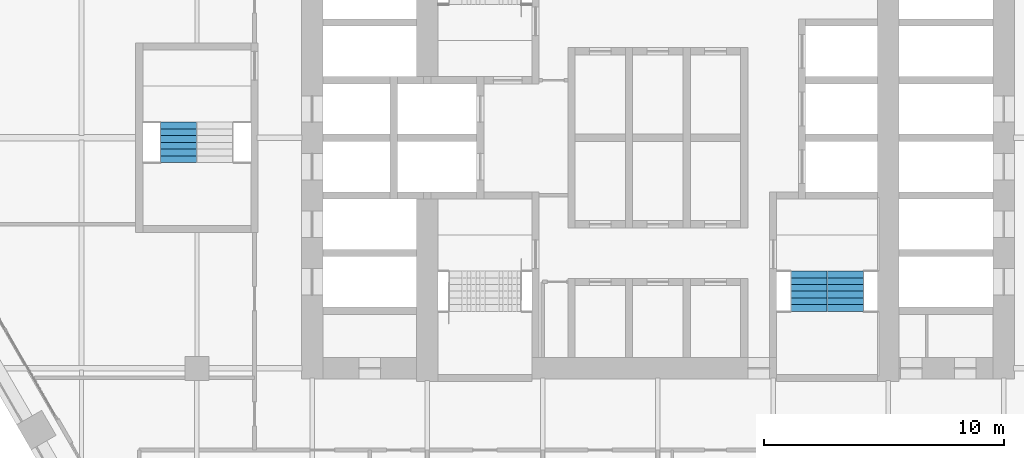
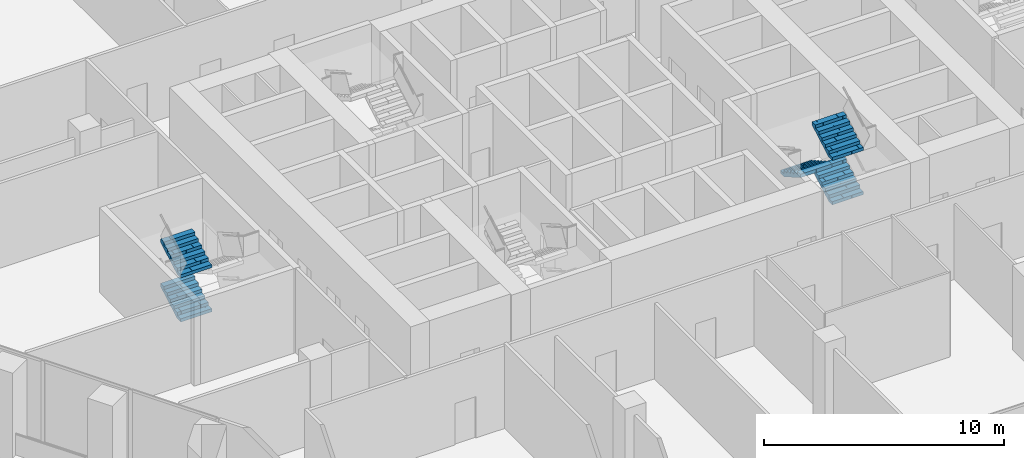
# One storey, part 19 of 24: 5 stair flights, 2 elements without a shape of their own.
"""IFC4 building model written with IfcOpenShell, lengths in metres."""

from ifc_helpers import new_model, si_unit, direction, frame, origin, place, context, subcontext, project, spatial, polyline, outline, extrude, material, type_object, element, aggregate, save


model = new_model("IFC4")

# Units and contexts
model_context = context("Model", 3, precision=1e-05, world=origin(), true_north=direction((0.0, 1.0)))
body_context = subcontext(model_context, "Body", "Model", "MODEL_VIEW")
ifc_project = project(units=[si_unit("LENGTHUNIT", "METRE"), si_unit("AREAUNIT", "SQUARE_METRE"), si_unit("VOLUMEUNIT", "CUBIC_METRE"), si_unit("PLANEANGLEUNIT", "RADIAN"), si_unit("MASSUNIT", "GRAM", prefix="KILO")], contexts=[model_context])

# Site, building, storey
site_placement = place(None, origin())
site = spatial("IfcSite", under=ifc_project, at=site_placement, CompositionType="ELEMENT")
building_placement = place(site_placement, origin())
building = spatial("IfcBuilding", under=site, at=building_placement, Name="Kolab Exchange Tower", CompositionType="ELEMENT")
storey_placement = place(building_placement, frame((0.0, 0.0, 86.89990234375)))
storey = spatial("IfcBuildingStorey", under=building, at=storey_placement, Name="L16", CompositionType="ELEMENT", Elevation=86.89990234375)

# Stair, stair flights
ifc_material = material(Name="Concrete C50/60", Category="concrete")
stair_type_1 = type_object("IfcStairType", Name="STAIR ST2 RISER 160.7", PredefinedType="DOUBLE_RETURN_STAIR", material=ifc_material)
stair_1_placement = place(storey_placement, origin())
stair_1 = element("IfcStair", 1, at=stair_1_placement, inside=storey, type_object=stair_type_1, Name="Stair 2", PredefinedType="DOUBLE_RETURN_STAIR")
stair_flight_type = type_object("IfcStairFlightType", Name="STAIR FLIGHT 1500 RISER 160.7", PredefinedType="STRAIGHT", material=ifc_material)
stair_flight_1_placement = place(storey_placement, frame((7.81005859375, -7.22998046875, 1.125), z_axis=(0.0, 0.0, 1.0), x_axis=(0.0, 1.0, 0.0)))
stair_flight_1 = element("IfcStairFlight", 2, at=stair_flight_1_placement, type_object=stair_flight_type, Name="ST2 flight 2", NumberOfRisers=7, NumberOfTreads=6, PredefinedType="STRAIGHT", RiserHeight=0.160714286, TreadLength=0.28, context=body_context, shape_type="SweptSolid", body=[
    extrude(outline(polyline([(0.0, 0.0), (0.0, 0.16064453125), (0.280029296875, 0.16064453125), (0.280029296875, 0.321533203125), (0.56005859375, 0.321533203125), (0.56005859375, 0.482177734375), (0.840087890625, 0.482177734375), (0.840087890625, 0.642822265625), (1.1201171875, 0.642822265625), (1.1201171875, 0.803466796875), (1.39990234375, 0.803466796875), (1.39990234375, 0.96435546875), (1.679931640625, 0.96435546875), (1.679931640625, 1.125), (1.679931640625, 0.79150390625), (0.301025390625, 0.0), (0.0, 0.0)])), frame((0.0, 0.75, 0.0), z_axis=(0.0, -1.0, 0.0), x_axis=(1.0, 0.0, 0.0)), (0.0, 0.0, 1.0), 0.185791015625),
    extrude(outline(polyline([(0.0, 0.0), (0.0, 0.16064453125), (0.280029296875, 0.16064453125), (0.280029296875, 0.321533203125), (0.56005859375, 0.321533203125), (0.56005859375, 0.482177734375), (0.840087890625, 0.482177734375), (0.840087890625, 0.642822265625), (1.1201171875, 0.642822265625), (1.1201171875, 0.803466796875), (1.39990234375, 0.803466796875), (1.39990234375, 0.96435546875), (1.679931640625, 0.96435546875), (1.679931640625, 1.125), (1.679931640625, 0.79150390625), (0.301025390625, 0.0), (0.0, 0.0)])), frame((0.0, 0.562255859375, 0.0), z_axis=(0.0, -1.0, 0.0), x_axis=(1.0, 0.0, 0.0)), (0.0, 0.0, 1.0), 0.185791015625),
    extrude(outline(polyline([(0.0, 0.0), (0.0, 0.16064453125), (0.280029296875, 0.16064453125), (0.280029296875, 0.321533203125), (0.56005859375, 0.321533203125), (0.56005859375, 0.482177734375), (0.840087890625, 0.482177734375), (0.840087890625, 0.642822265625), (1.1201171875, 0.642822265625), (1.1201171875, 0.803466796875), (1.39990234375, 0.803466796875), (1.39990234375, 0.96435546875), (1.679931640625, 0.96435546875), (1.679931640625, 1.125), (1.679931640625, 0.79150390625), (0.301025390625, 0.0), (0.0, 0.0)])), frame((0.0, 0.37451171875, 0.0), z_axis=(0.0, -1.0, 0.0), x_axis=(1.0, 0.0, 0.0)), (0.0, 0.0, 1.0), 0.185791015625),
    extrude(outline(polyline([(0.0, 0.0), (0.0, 0.16064453125), (0.280029296875, 0.16064453125), (0.280029296875, 0.321533203125), (0.56005859375, 0.321533203125), (0.56005859375, 0.482177734375), (0.840087890625, 0.482177734375), (0.840087890625, 0.642822265625), (1.1201171875, 0.642822265625), (1.1201171875, 0.803466796875), (1.39990234375, 0.803466796875), (1.39990234375, 0.96435546875), (1.679931640625, 0.96435546875), (1.679931640625, 1.125), (1.679931640625, 0.79150390625), (0.301025390625, 0.0), (0.0, 0.0)])), frame((0.0, 0.186767578125, 0.0), z_axis=(0.0, -1.0, 0.0), x_axis=(1.0, 0.0, 0.0)), (0.0, 0.0, 1.0), 0.185791015625),
    extrude(outline(polyline([(0.0, 0.0), (0.0, 0.16064453125), (0.280029296875, 0.16064453125), (0.280029296875, 0.321533203125), (0.56005859375, 0.321533203125), (0.56005859375, 0.482177734375), (0.840087890625, 0.482177734375), (0.840087890625, 0.642822265625), (1.1201171875, 0.642822265625), (1.1201171875, 0.803466796875), (1.39990234375, 0.803466796875), (1.39990234375, 0.96435546875), (1.679931640625, 0.96435546875), (1.679931640625, 1.125), (1.679931640625, 0.79150390625), (0.301025390625, 0.0), (0.0, 0.0)])), frame((0.0, -0.0009765625, 0.0), z_axis=(0.0, -1.0, 0.0), x_axis=(1.0, 0.0, 0.0)), (0.0, 0.0, 1.0), 0.185791015625),
    extrude(outline(polyline([(0.0, 0.0), (0.0, 0.16064453125), (0.280029296875, 0.16064453125), (0.280029296875, 0.321533203125), (0.56005859375, 0.321533203125), (0.56005859375, 0.482177734375), (0.840087890625, 0.482177734375), (0.840087890625, 0.642822265625), (1.1201171875, 0.642822265625), (1.1201171875, 0.803466796875), (1.39990234375, 0.803466796875), (1.39990234375, 0.96435546875), (1.679931640625, 0.96435546875), (1.679931640625, 1.125), (1.679931640625, 0.79150390625), (0.301025390625, 0.0), (0.0, 0.0)])), frame((0.0, -0.188720703125, 0.0), z_axis=(0.0, -1.0, 0.0), x_axis=(1.0, 0.0, 0.0)), (0.0, 0.0, 1.0), 0.185791015625),
    extrude(outline(polyline([(0.0, 0.0), (0.0, 0.16064453125), (0.280029296875, 0.16064453125), (0.280029296875, 0.321533203125), (0.56005859375, 0.321533203125), (0.56005859375, 0.482177734375), (0.840087890625, 0.482177734375), (0.840087890625, 0.642822265625), (1.1201171875, 0.642822265625), (1.1201171875, 0.803466796875), (1.39990234375, 0.803466796875), (1.39990234375, 0.96435546875), (1.679931640625, 0.96435546875), (1.679931640625, 1.125), (1.679931640625, 0.79150390625), (0.301025390625, 0.0), (0.0, 0.0)])), frame((0.0, -0.37646484375, 0.0), z_axis=(0.0, -1.0, 0.0), x_axis=(1.0, 0.0, 0.0)), (0.0, 0.0, 1.0), 0.185791015625),
    extrude(outline(polyline([(0.0, 0.0), (0.0, 0.16064453125), (0.280029296875, 0.16064453125), (0.280029296875, 0.321533203125), (0.56005859375, 0.321533203125), (0.56005859375, 0.482177734375), (0.840087890625, 0.482177734375), (0.840087890625, 0.642822265625), (1.1201171875, 0.642822265625), (1.1201171875, 0.803466796875), (1.39990234375, 0.803466796875), (1.39990234375, 0.96435546875), (1.679931640625, 0.96435546875), (1.679931640625, 1.125), (1.679931640625, 0.79150390625), (0.301025390625, 0.0), (0.0, 0.0)])), frame((0.0, -0.564208984375, 0.0), z_axis=(0.0, -1.0, 0.0), x_axis=(1.0, 0.0, 0.0)), (0.0, 0.0, 1.0), 0.185791015625),
])
stair_flight_2_placement = place(storey_placement, frame((6.2900390625, -5.550048828125, 2.25), z_axis=(0.0, 0.0, 1.0), x_axis=(0.0, -1.0, 0.0)))
stair_flight_2 = element("IfcStairFlight", 3, at=stair_flight_2_placement, type_object=stair_flight_type, Name="ST2 flight 3", NumberOfRisers=7, NumberOfTreads=6, PredefinedType="STRAIGHT", RiserHeight=0.160714286, TreadLength=0.28, context=body_context, shape_type="SweptSolid", body=[
    extrude(outline(polyline([(0.0, 0.0), (0.0, 0.16064453125), (0.280029296875, 0.16064453125), (0.280029296875, 0.321533203125), (0.56005859375, 0.321533203125), (0.56005859375, 0.482177734375), (0.840087890625, 0.482177734375), (0.840087890625, 0.642822265625), (1.1201171875, 0.642822265625), (1.1201171875, 0.803466796875), (1.39990234375, 0.803466796875), (1.39990234375, 0.96435546875), (1.679931640625, 0.96435546875), (1.679931640625, 1.125), (1.679931640625, 0.79150390625), (0.301025390625, 0.0), (0.0, 0.0)])), frame((0.0, 0.75, 0.0), z_axis=(0.0, -1.0, 0.0), x_axis=(1.0, 0.0, 0.0)), (0.0, 0.0, 1.0), 0.185791015625),
    extrude(outline(polyline([(0.0, 0.0), (0.0, 0.16064453125), (0.280029296875, 0.16064453125), (0.280029296875, 0.321533203125), (0.56005859375, 0.321533203125), (0.56005859375, 0.482177734375), (0.840087890625, 0.482177734375), (0.840087890625, 0.642822265625), (1.1201171875, 0.642822265625), (1.1201171875, 0.803466796875), (1.39990234375, 0.803466796875), (1.39990234375, 0.96435546875), (1.679931640625, 0.96435546875), (1.679931640625, 1.125), (1.679931640625, 0.79150390625), (0.301025390625, 0.0), (0.0, 0.0)])), frame((0.0, 0.562255859375, 0.0), z_axis=(0.0, -1.0, 0.0), x_axis=(1.0, 0.0, 0.0)), (0.0, 0.0, 1.0), 0.185791015625),
    extrude(outline(polyline([(0.0, 0.0), (0.0, 0.16064453125), (0.280029296875, 0.16064453125), (0.280029296875, 0.321533203125), (0.56005859375, 0.321533203125), (0.56005859375, 0.482177734375), (0.840087890625, 0.482177734375), (0.840087890625, 0.642822265625), (1.1201171875, 0.642822265625), (1.1201171875, 0.803466796875), (1.39990234375, 0.803466796875), (1.39990234375, 0.96435546875), (1.679931640625, 0.96435546875), (1.679931640625, 1.125), (1.679931640625, 0.79150390625), (0.301025390625, 0.0), (0.0, 0.0)])), frame((0.0, 0.37451171875, 0.0), z_axis=(0.0, -1.0, 0.0), x_axis=(1.0, 0.0, 0.0)), (0.0, 0.0, 1.0), 0.185791015625),
    extrude(outline(polyline([(0.0, 0.0), (0.0, 0.16064453125), (0.280029296875, 0.16064453125), (0.280029296875, 0.321533203125), (0.56005859375, 0.321533203125), (0.56005859375, 0.482177734375), (0.840087890625, 0.482177734375), (0.840087890625, 0.642822265625), (1.1201171875, 0.642822265625), (1.1201171875, 0.803466796875), (1.39990234375, 0.803466796875), (1.39990234375, 0.96435546875), (1.679931640625, 0.96435546875), (1.679931640625, 1.125), (1.679931640625, 0.79150390625), (0.301025390625, 0.0), (0.0, 0.0)])), frame((0.0, 0.186767578125, 0.0), z_axis=(0.0, -1.0, 0.0), x_axis=(1.0, 0.0, 0.0)), (0.0, 0.0, 1.0), 0.185791015625),
    extrude(outline(polyline([(0.0, 0.0), (0.0, 0.16064453125), (0.280029296875, 0.16064453125), (0.280029296875, 0.321533203125), (0.56005859375, 0.321533203125), (0.56005859375, 0.482177734375), (0.840087890625, 0.482177734375), (0.840087890625, 0.642822265625), (1.1201171875, 0.642822265625), (1.1201171875, 0.803466796875), (1.39990234375, 0.803466796875), (1.39990234375, 0.96435546875), (1.679931640625, 0.96435546875), (1.679931640625, 1.125), (1.679931640625, 0.79150390625), (0.301025390625, 0.0), (0.0, 0.0)])), frame((0.0, -0.0009765625, 0.0), z_axis=(0.0, -1.0, 0.0), x_axis=(1.0, 0.0, 0.0)), (0.0, 0.0, 1.0), 0.185791015625),
    extrude(outline(polyline([(0.0, 0.0), (0.0, 0.16064453125), (0.280029296875, 0.16064453125), (0.280029296875, 0.321533203125), (0.56005859375, 0.321533203125), (0.56005859375, 0.482177734375), (0.840087890625, 0.482177734375), (0.840087890625, 0.642822265625), (1.1201171875, 0.642822265625), (1.1201171875, 0.803466796875), (1.39990234375, 0.803466796875), (1.39990234375, 0.96435546875), (1.679931640625, 0.96435546875), (1.679931640625, 1.125), (1.679931640625, 0.79150390625), (0.301025390625, 0.0), (0.0, 0.0)])), frame((0.0, -0.188720703125, 0.0), z_axis=(0.0, -1.0, 0.0), x_axis=(1.0, 0.0, 0.0)), (0.0, 0.0, 1.0), 0.185791015625),
    extrude(outline(polyline([(0.0, 0.0), (0.0, 0.16064453125), (0.280029296875, 0.16064453125), (0.280029296875, 0.321533203125), (0.56005859375, 0.321533203125), (0.56005859375, 0.482177734375), (0.840087890625, 0.482177734375), (0.840087890625, 0.642822265625), (1.1201171875, 0.642822265625), (1.1201171875, 0.803466796875), (1.39990234375, 0.803466796875), (1.39990234375, 0.96435546875), (1.679931640625, 0.96435546875), (1.679931640625, 1.125), (1.679931640625, 0.79150390625), (0.301025390625, 0.0), (0.0, 0.0)])), frame((0.0, -0.37646484375, 0.0), z_axis=(0.0, -1.0, 0.0), x_axis=(1.0, 0.0, 0.0)), (0.0, 0.0, 1.0), 0.185791015625),
    extrude(outline(polyline([(0.0, 0.0), (0.0, 0.16064453125), (0.280029296875, 0.16064453125), (0.280029296875, 0.321533203125), (0.56005859375, 0.321533203125), (0.56005859375, 0.482177734375), (0.840087890625, 0.482177734375), (0.840087890625, 0.642822265625), (1.1201171875, 0.642822265625), (1.1201171875, 0.803466796875), (1.39990234375, 0.803466796875), (1.39990234375, 0.96435546875), (1.679931640625, 0.96435546875), (1.679931640625, 1.125), (1.679931640625, 0.79150390625), (0.301025390625, 0.0), (0.0, 0.0)])), frame((0.0, -0.564208984375, 0.0), z_axis=(0.0, -1.0, 0.0), x_axis=(1.0, 0.0, 0.0)), (0.0, 0.0, 1.0), 0.185791015625),
])
stair_flight_3_placement = place(storey_placement, frame((7.81005859375, -7.22998046875, 3.375), z_axis=(0.0, 0.0, 1.0), x_axis=(0.0, 1.0, 0.0)))
stair_flight_3 = element("IfcStairFlight", 4, at=stair_flight_3_placement, type_object=stair_flight_type, Name="ST2 flight 4", NumberOfRisers=7, NumberOfTreads=6, PredefinedType="STRAIGHT", RiserHeight=0.160714286, TreadLength=0.28, context=body_context, shape_type="SweptSolid", body=[
    extrude(outline(polyline([(0.0, 0.0), (0.0, 0.16064453125), (0.280029296875, 0.16064453125), (0.280029296875, 0.321533203125), (0.56005859375, 0.321533203125), (0.56005859375, 0.482177734375), (0.840087890625, 0.482177734375), (0.840087890625, 0.642822265625), (1.1201171875, 0.642822265625), (1.1201171875, 0.803466796875), (1.39990234375, 0.803466796875), (1.39990234375, 0.96435546875), (1.679931640625, 0.96435546875), (1.679931640625, 1.125), (1.679931640625, 0.79150390625), (0.301025390625, 0.0), (0.0, 0.0)])), frame((0.0, 0.75, 0.0), z_axis=(0.0, -1.0, 0.0), x_axis=(1.0, 0.0, 0.0)), (0.0, 0.0, 1.0), 0.185791015625),
    extrude(outline(polyline([(0.0, 0.0), (0.0, 0.16064453125), (0.280029296875, 0.16064453125), (0.280029296875, 0.321533203125), (0.56005859375, 0.321533203125), (0.56005859375, 0.482177734375), (0.840087890625, 0.482177734375), (0.840087890625, 0.642822265625), (1.1201171875, 0.642822265625), (1.1201171875, 0.803466796875), (1.39990234375, 0.803466796875), (1.39990234375, 0.96435546875), (1.679931640625, 0.96435546875), (1.679931640625, 1.125), (1.679931640625, 0.79150390625), (0.301025390625, 0.0), (0.0, 0.0)])), frame((0.0, 0.562255859375, 0.0), z_axis=(0.0, -1.0, 0.0), x_axis=(1.0, 0.0, 0.0)), (0.0, 0.0, 1.0), 0.185791015625),
    extrude(outline(polyline([(0.0, 0.0), (0.0, 0.16064453125), (0.280029296875, 0.16064453125), (0.280029296875, 0.321533203125), (0.56005859375, 0.321533203125), (0.56005859375, 0.482177734375), (0.840087890625, 0.482177734375), (0.840087890625, 0.642822265625), (1.1201171875, 0.642822265625), (1.1201171875, 0.803466796875), (1.39990234375, 0.803466796875), (1.39990234375, 0.96435546875), (1.679931640625, 0.96435546875), (1.679931640625, 1.125), (1.679931640625, 0.79150390625), (0.301025390625, 0.0), (0.0, 0.0)])), frame((0.0, 0.37451171875, 0.0), z_axis=(0.0, -1.0, 0.0), x_axis=(1.0, 0.0, 0.0)), (0.0, 0.0, 1.0), 0.185791015625),
    extrude(outline(polyline([(0.0, 0.0), (0.0, 0.16064453125), (0.280029296875, 0.16064453125), (0.280029296875, 0.321533203125), (0.56005859375, 0.321533203125), (0.56005859375, 0.482177734375), (0.840087890625, 0.482177734375), (0.840087890625, 0.642822265625), (1.1201171875, 0.642822265625), (1.1201171875, 0.803466796875), (1.39990234375, 0.803466796875), (1.39990234375, 0.96435546875), (1.679931640625, 0.96435546875), (1.679931640625, 1.125), (1.679931640625, 0.79150390625), (0.301025390625, 0.0), (0.0, 0.0)])), frame((0.0, 0.186767578125, 0.0), z_axis=(0.0, -1.0, 0.0), x_axis=(1.0, 0.0, 0.0)), (0.0, 0.0, 1.0), 0.185791015625),
    extrude(outline(polyline([(0.0, 0.0), (0.0, 0.16064453125), (0.280029296875, 0.16064453125), (0.280029296875, 0.321533203125), (0.56005859375, 0.321533203125), (0.56005859375, 0.482177734375), (0.840087890625, 0.482177734375), (0.840087890625, 0.642822265625), (1.1201171875, 0.642822265625), (1.1201171875, 0.803466796875), (1.39990234375, 0.803466796875), (1.39990234375, 0.96435546875), (1.679931640625, 0.96435546875), (1.679931640625, 1.125), (1.679931640625, 0.79150390625), (0.301025390625, 0.0), (0.0, 0.0)])), frame((0.0, -0.0009765625, 0.0), z_axis=(0.0, -1.0, 0.0), x_axis=(1.0, 0.0, 0.0)), (0.0, 0.0, 1.0), 0.185791015625),
    extrude(outline(polyline([(0.0, 0.0), (0.0, 0.16064453125), (0.280029296875, 0.16064453125), (0.280029296875, 0.321533203125), (0.56005859375, 0.321533203125), (0.56005859375, 0.482177734375), (0.840087890625, 0.482177734375), (0.840087890625, 0.642822265625), (1.1201171875, 0.642822265625), (1.1201171875, 0.803466796875), (1.39990234375, 0.803466796875), (1.39990234375, 0.96435546875), (1.679931640625, 0.96435546875), (1.679931640625, 1.125), (1.679931640625, 0.79150390625), (0.301025390625, 0.0), (0.0, 0.0)])), frame((0.0, -0.188720703125, 0.0), z_axis=(0.0, -1.0, 0.0), x_axis=(1.0, 0.0, 0.0)), (0.0, 0.0, 1.0), 0.185791015625),
    extrude(outline(polyline([(0.0, 0.0), (0.0, 0.16064453125), (0.280029296875, 0.16064453125), (0.280029296875, 0.321533203125), (0.56005859375, 0.321533203125), (0.56005859375, 0.482177734375), (0.840087890625, 0.482177734375), (0.840087890625, 0.642822265625), (1.1201171875, 0.642822265625), (1.1201171875, 0.803466796875), (1.39990234375, 0.803466796875), (1.39990234375, 0.96435546875), (1.679931640625, 0.96435546875), (1.679931640625, 1.125), (1.679931640625, 0.79150390625), (0.301025390625, 0.0), (0.0, 0.0)])), frame((0.0, -0.37646484375, 0.0), z_axis=(0.0, -1.0, 0.0), x_axis=(1.0, 0.0, 0.0)), (0.0, 0.0, 1.0), 0.185791015625),
    extrude(outline(polyline([(0.0, 0.0), (0.0, 0.16064453125), (0.280029296875, 0.16064453125), (0.280029296875, 0.321533203125), (0.56005859375, 0.321533203125), (0.56005859375, 0.482177734375), (0.840087890625, 0.482177734375), (0.840087890625, 0.642822265625), (1.1201171875, 0.642822265625), (1.1201171875, 0.803466796875), (1.39990234375, 0.803466796875), (1.39990234375, 0.96435546875), (1.679931640625, 0.96435546875), (1.679931640625, 1.125), (1.679931640625, 0.79150390625), (0.301025390625, 0.0), (0.0, 0.0)])), frame((0.0, -0.564208984375, 0.0), z_axis=(0.0, -1.0, 0.0), x_axis=(1.0, 0.0, 0.0)), (0.0, 0.0, 1.0), 0.185791015625),
])
aggregate(stair_1, [stair_flight_1, stair_flight_2, stair_flight_3])

stair_type_2 = type_object("IfcStairType", Name="STAIR ST5 RISER 160.7", PredefinedType="DOUBLE_RETURN_STAIR", material=ifc_material)
stair_2_placement = place(storey_placement, origin())
stair_2 = element("IfcStair", 5, at=stair_2_placement, inside=storey, type_object=stair_type_2, Name="Stair 5", PredefinedType="DOUBLE_RETURN_STAIR")
stair_flight_4_placement = place(storey_placement, frame((-19.9599609375, -1.030029296875, 1.125), z_axis=(0.0, 0.0, 1.0), x_axis=(0.0, 1.0, 0.0)))
stair_flight_4 = element("IfcStairFlight", 6, at=stair_flight_4_placement, type_object=stair_flight_type, Name="ST5 flight 2", NumberOfRisers=7, NumberOfTreads=6, PredefinedType="STRAIGHT", RiserHeight=0.160714286, TreadLength=0.28, context=body_context, shape_type="SweptSolid", body=[
    extrude(outline(polyline([(0.0, 0.0), (0.0, 0.16064453125), (0.280029296875, 0.16064453125), (0.280029296875, 0.321533203125), (0.56005859375, 0.321533203125), (0.56005859375, 0.482177734375), (0.840087890625, 0.482177734375), (0.840087890625, 0.642822265625), (1.1201171875, 0.642822265625), (1.1201171875, 0.803466796875), (1.39990234375, 0.803466796875), (1.39990234375, 0.96435546875), (1.679931640625, 0.96435546875), (1.679931640625, 1.125), (1.679931640625, 0.79150390625), (0.301025390625, 0.0), (0.0, 0.0)])), frame((0.0, 0.75, 0.0), z_axis=(0.0, -1.0, 0.0), x_axis=(1.0, 0.0, 0.0)), (0.0, 0.0, 1.0), 0.185791015625),
    extrude(outline(polyline([(0.0, 0.0), (0.0, 0.16064453125), (0.280029296875, 0.16064453125), (0.280029296875, 0.321533203125), (0.56005859375, 0.321533203125), (0.56005859375, 0.482177734375), (0.840087890625, 0.482177734375), (0.840087890625, 0.642822265625), (1.1201171875, 0.642822265625), (1.1201171875, 0.803466796875), (1.39990234375, 0.803466796875), (1.39990234375, 0.96435546875), (1.679931640625, 0.96435546875), (1.679931640625, 1.125), (1.679931640625, 0.79150390625), (0.301025390625, 0.0), (0.0, 0.0)])), frame((0.0, 0.562255859375, 0.0), z_axis=(0.0, -1.0, 0.0), x_axis=(1.0, 0.0, 0.0)), (0.0, 0.0, 1.0), 0.185791015625),
    extrude(outline(polyline([(0.0, 0.0), (0.0, 0.16064453125), (0.280029296875, 0.16064453125), (0.280029296875, 0.321533203125), (0.56005859375, 0.321533203125), (0.56005859375, 0.482177734375), (0.840087890625, 0.482177734375), (0.840087890625, 0.642822265625), (1.1201171875, 0.642822265625), (1.1201171875, 0.803466796875), (1.39990234375, 0.803466796875), (1.39990234375, 0.96435546875), (1.679931640625, 0.96435546875), (1.679931640625, 1.125), (1.679931640625, 0.79150390625), (0.301025390625, 0.0), (0.0, 0.0)])), frame((0.0, 0.37451171875, 0.0), z_axis=(0.0, -1.0, 0.0), x_axis=(1.0, 0.0, 0.0)), (0.0, 0.0, 1.0), 0.185791015625),
    extrude(outline(polyline([(0.0, 0.0), (0.0, 0.16064453125), (0.280029296875, 0.16064453125), (0.280029296875, 0.321533203125), (0.56005859375, 0.321533203125), (0.56005859375, 0.482177734375), (0.840087890625, 0.482177734375), (0.840087890625, 0.642822265625), (1.1201171875, 0.642822265625), (1.1201171875, 0.803466796875), (1.39990234375, 0.803466796875), (1.39990234375, 0.96435546875), (1.679931640625, 0.96435546875), (1.679931640625, 1.125), (1.679931640625, 0.79150390625), (0.301025390625, 0.0), (0.0, 0.0)])), frame((0.0, 0.186767578125, 0.0), z_axis=(0.0, -1.0, 0.0), x_axis=(1.0, 0.0, 0.0)), (0.0, 0.0, 1.0), 0.185791015625),
    extrude(outline(polyline([(0.0, 0.0), (0.0, 0.16064453125), (0.280029296875, 0.16064453125), (0.280029296875, 0.321533203125), (0.56005859375, 0.321533203125), (0.56005859375, 0.482177734375), (0.840087890625, 0.482177734375), (0.840087890625, 0.642822265625), (1.1201171875, 0.642822265625), (1.1201171875, 0.803466796875), (1.39990234375, 0.803466796875), (1.39990234375, 0.96435546875), (1.679931640625, 0.96435546875), (1.679931640625, 1.125), (1.679931640625, 0.79150390625), (0.301025390625, 0.0), (0.0, 0.0)])), frame((0.0, -0.0009765625, 0.0), z_axis=(0.0, -1.0, 0.0), x_axis=(1.0, 0.0, 0.0)), (0.0, 0.0, 1.0), 0.185791015625),
    extrude(outline(polyline([(0.0, 0.0), (0.0, 0.16064453125), (0.280029296875, 0.16064453125), (0.280029296875, 0.321533203125), (0.56005859375, 0.321533203125), (0.56005859375, 0.482177734375), (0.840087890625, 0.482177734375), (0.840087890625, 0.642822265625), (1.1201171875, 0.642822265625), (1.1201171875, 0.803466796875), (1.39990234375, 0.803466796875), (1.39990234375, 0.96435546875), (1.679931640625, 0.96435546875), (1.679931640625, 1.125), (1.679931640625, 0.79150390625), (0.301025390625, 0.0), (0.0, 0.0)])), frame((0.0, -0.188720703125, 0.0), z_axis=(0.0, -1.0, 0.0), x_axis=(1.0, 0.0, 0.0)), (0.0, 0.0, 1.0), 0.185791015625),
    extrude(outline(polyline([(0.0, 0.0), (0.0, 0.16064453125), (0.280029296875, 0.16064453125), (0.280029296875, 0.321533203125), (0.56005859375, 0.321533203125), (0.56005859375, 0.482177734375), (0.840087890625, 0.482177734375), (0.840087890625, 0.642822265625), (1.1201171875, 0.642822265625), (1.1201171875, 0.803466796875), (1.39990234375, 0.803466796875), (1.39990234375, 0.96435546875), (1.679931640625, 0.96435546875), (1.679931640625, 1.125), (1.679931640625, 0.79150390625), (0.301025390625, 0.0), (0.0, 0.0)])), frame((0.0, -0.37646484375, 0.0), z_axis=(0.0, -1.0, 0.0), x_axis=(1.0, 0.0, 0.0)), (0.0, 0.0, 1.0), 0.185791015625),
    extrude(outline(polyline([(0.0, 0.0), (0.0, 0.16064453125), (0.280029296875, 0.16064453125), (0.280029296875, 0.321533203125), (0.56005859375, 0.321533203125), (0.56005859375, 0.482177734375), (0.840087890625, 0.482177734375), (0.840087890625, 0.642822265625), (1.1201171875, 0.642822265625), (1.1201171875, 0.803466796875), (1.39990234375, 0.803466796875), (1.39990234375, 0.96435546875), (1.679931640625, 0.96435546875), (1.679931640625, 1.125), (1.679931640625, 0.79150390625), (0.301025390625, 0.0), (0.0, 0.0)])), frame((0.0, -0.564208984375, 0.0), z_axis=(0.0, -1.0, 0.0), x_axis=(1.0, 0.0, 0.0)), (0.0, 0.0, 1.0), 0.185791015625),
])
stair_flight_5_placement = place(storey_placement, frame((-19.9599609375, -1.030029296875, 3.375), z_axis=(0.0, 0.0, 1.0), x_axis=(0.0, 1.0, 0.0)))
stair_flight_5 = element("IfcStairFlight", 7, at=stair_flight_5_placement, type_object=stair_flight_type, Name="ST5 flight 4", NumberOfRisers=7, NumberOfTreads=6, PredefinedType="STRAIGHT", RiserHeight=0.160714286, TreadLength=0.28, context=body_context, shape_type="SweptSolid", body=[
    extrude(outline(polyline([(0.0, 0.0), (0.0, 0.16064453125), (0.280029296875, 0.16064453125), (0.280029296875, 0.321533203125), (0.56005859375, 0.321533203125), (0.56005859375, 0.482177734375), (0.840087890625, 0.482177734375), (0.840087890625, 0.642822265625), (1.1201171875, 0.642822265625), (1.1201171875, 0.803466796875), (1.39990234375, 0.803466796875), (1.39990234375, 0.96435546875), (1.679931640625, 0.96435546875), (1.679931640625, 1.125), (1.679931640625, 0.79150390625), (0.301025390625, 0.0), (0.0, 0.0)])), frame((0.0, 0.75, 0.0), z_axis=(0.0, -1.0, 0.0), x_axis=(1.0, 0.0, 0.0)), (0.0, 0.0, 1.0), 0.185791015625),
    extrude(outline(polyline([(0.0, 0.0), (0.0, 0.16064453125), (0.280029296875, 0.16064453125), (0.280029296875, 0.321533203125), (0.56005859375, 0.321533203125), (0.56005859375, 0.482177734375), (0.840087890625, 0.482177734375), (0.840087890625, 0.642822265625), (1.1201171875, 0.642822265625), (1.1201171875, 0.803466796875), (1.39990234375, 0.803466796875), (1.39990234375, 0.96435546875), (1.679931640625, 0.96435546875), (1.679931640625, 1.125), (1.679931640625, 0.79150390625), (0.301025390625, 0.0), (0.0, 0.0)])), frame((0.0, 0.562255859375, 0.0), z_axis=(0.0, -1.0, 0.0), x_axis=(1.0, 0.0, 0.0)), (0.0, 0.0, 1.0), 0.185791015625),
    extrude(outline(polyline([(0.0, 0.0), (0.0, 0.16064453125), (0.280029296875, 0.16064453125), (0.280029296875, 0.321533203125), (0.56005859375, 0.321533203125), (0.56005859375, 0.482177734375), (0.840087890625, 0.482177734375), (0.840087890625, 0.642822265625), (1.1201171875, 0.642822265625), (1.1201171875, 0.803466796875), (1.39990234375, 0.803466796875), (1.39990234375, 0.96435546875), (1.679931640625, 0.96435546875), (1.679931640625, 1.125), (1.679931640625, 0.79150390625), (0.301025390625, 0.0), (0.0, 0.0)])), frame((0.0, 0.37451171875, 0.0), z_axis=(0.0, -1.0, 0.0), x_axis=(1.0, 0.0, 0.0)), (0.0, 0.0, 1.0), 0.185791015625),
    extrude(outline(polyline([(0.0, 0.0), (0.0, 0.16064453125), (0.280029296875, 0.16064453125), (0.280029296875, 0.321533203125), (0.56005859375, 0.321533203125), (0.56005859375, 0.482177734375), (0.840087890625, 0.482177734375), (0.840087890625, 0.642822265625), (1.1201171875, 0.642822265625), (1.1201171875, 0.803466796875), (1.39990234375, 0.803466796875), (1.39990234375, 0.96435546875), (1.679931640625, 0.96435546875), (1.679931640625, 1.125), (1.679931640625, 0.79150390625), (0.301025390625, 0.0), (0.0, 0.0)])), frame((0.0, 0.186767578125, 0.0), z_axis=(0.0, -1.0, 0.0), x_axis=(1.0, 0.0, 0.0)), (0.0, 0.0, 1.0), 0.185791015625),
    extrude(outline(polyline([(0.0, 0.0), (0.0, 0.16064453125), (0.280029296875, 0.16064453125), (0.280029296875, 0.321533203125), (0.56005859375, 0.321533203125), (0.56005859375, 0.482177734375), (0.840087890625, 0.482177734375), (0.840087890625, 0.642822265625), (1.1201171875, 0.642822265625), (1.1201171875, 0.803466796875), (1.39990234375, 0.803466796875), (1.39990234375, 0.96435546875), (1.679931640625, 0.96435546875), (1.679931640625, 1.125), (1.679931640625, 0.79150390625), (0.301025390625, 0.0), (0.0, 0.0)])), frame((0.0, -0.0009765625, 0.0), z_axis=(0.0, -1.0, 0.0), x_axis=(1.0, 0.0, 0.0)), (0.0, 0.0, 1.0), 0.185791015625),
    extrude(outline(polyline([(0.0, 0.0), (0.0, 0.16064453125), (0.280029296875, 0.16064453125), (0.280029296875, 0.321533203125), (0.56005859375, 0.321533203125), (0.56005859375, 0.482177734375), (0.840087890625, 0.482177734375), (0.840087890625, 0.642822265625), (1.1201171875, 0.642822265625), (1.1201171875, 0.803466796875), (1.39990234375, 0.803466796875), (1.39990234375, 0.96435546875), (1.679931640625, 0.96435546875), (1.679931640625, 1.125), (1.679931640625, 0.79150390625), (0.301025390625, 0.0), (0.0, 0.0)])), frame((0.0, -0.188720703125, 0.0), z_axis=(0.0, -1.0, 0.0), x_axis=(1.0, 0.0, 0.0)), (0.0, 0.0, 1.0), 0.185791015625),
    extrude(outline(polyline([(0.0, 0.0), (0.0, 0.16064453125), (0.280029296875, 0.16064453125), (0.280029296875, 0.321533203125), (0.56005859375, 0.321533203125), (0.56005859375, 0.482177734375), (0.840087890625, 0.482177734375), (0.840087890625, 0.642822265625), (1.1201171875, 0.642822265625), (1.1201171875, 0.803466796875), (1.39990234375, 0.803466796875), (1.39990234375, 0.96435546875), (1.679931640625, 0.96435546875), (1.679931640625, 1.125), (1.679931640625, 0.79150390625), (0.301025390625, 0.0), (0.0, 0.0)])), frame((0.0, -0.37646484375, 0.0), z_axis=(0.0, -1.0, 0.0), x_axis=(1.0, 0.0, 0.0)), (0.0, 0.0, 1.0), 0.185791015625),
    extrude(outline(polyline([(0.0, 0.0), (0.0, 0.16064453125), (0.280029296875, 0.16064453125), (0.280029296875, 0.321533203125), (0.56005859375, 0.321533203125), (0.56005859375, 0.482177734375), (0.840087890625, 0.482177734375), (0.840087890625, 0.642822265625), (1.1201171875, 0.642822265625), (1.1201171875, 0.803466796875), (1.39990234375, 0.803466796875), (1.39990234375, 0.96435546875), (1.679931640625, 0.96435546875), (1.679931640625, 1.125), (1.679931640625, 0.79150390625), (0.301025390625, 0.0), (0.0, 0.0)])), frame((0.0, -0.564208984375, 0.0), z_axis=(0.0, -1.0, 0.0), x_axis=(1.0, 0.0, 0.0)), (0.0, 0.0, 1.0), 0.185791015625),
])
aggregate(stair_2, [stair_flight_4, stair_flight_5])

save(model, "model.ifc")
